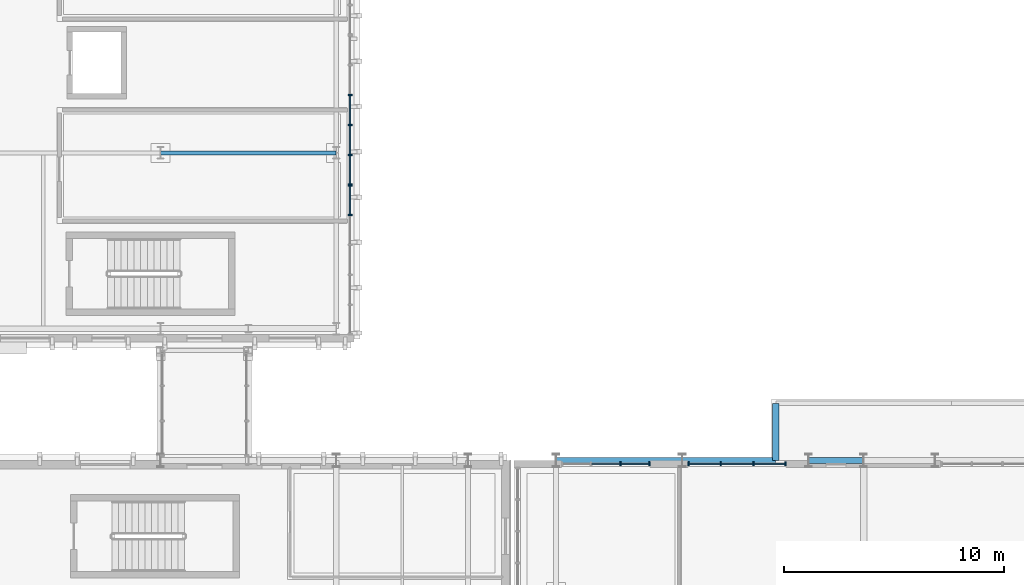
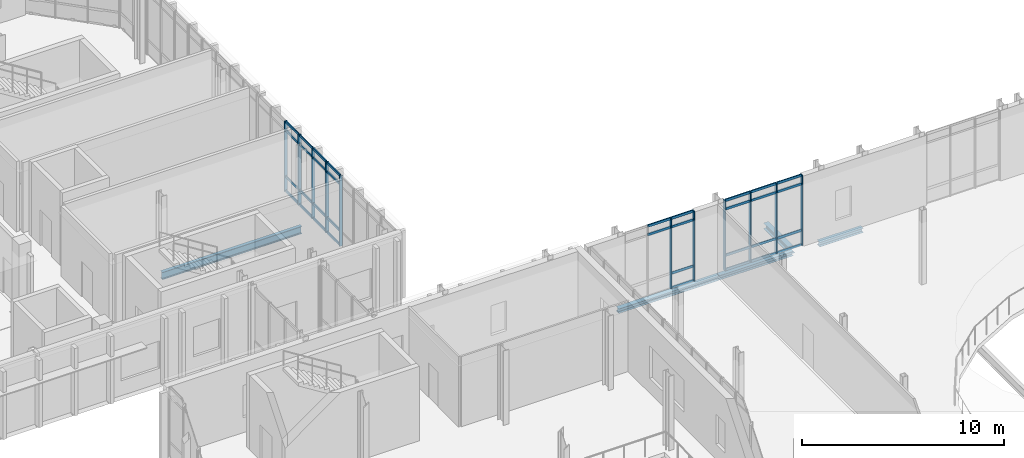
# One storey, part 23 of 100: 46 members, 5 beams, 4 elements without a shape of their own.
"""IFC4 building model written with IfcOpenShell, lengths in metres."""

from ifc_helpers import new_model, si_unit, direction, frame, origin, origin_2d, place, context, subcontext, project, spatial, rectangle, i_section, extrude, material, material_profile, profile_set, type_object, element, aggregate, save


model = new_model("IFC4")

# Units and contexts
model_context = context("Model", 3, precision=1e-05, world=origin(), true_north=direction((0.0, 1.0)))
body_context = subcontext(model_context, "Body", "Model", "MODEL_VIEW")
ifc_project = project(units=[si_unit("LENGTHUNIT", "METRE"), si_unit("AREAUNIT", "SQUARE_METRE"), si_unit("VOLUMEUNIT", "CUBIC_METRE"), si_unit("PLANEANGLEUNIT", "RADIAN"), si_unit("MASSUNIT", "GRAM", prefix="KILO")], contexts=[model_context])

# Site, building, storey
site_placement = place(None, origin())
site = spatial("IfcSite", under=ifc_project, at=site_placement, CompositionType="ELEMENT")
building_placement = place(site_placement, origin())
building = spatial("IfcBuilding", under=site, at=building_placement, Name="Cymarion Research Institute", CompositionType="ELEMENT")
storey_placement = place(building_placement, frame((0.0, 0.0, 4.800048828125)))
storey = spatial("IfcBuildingStorey", under=building, at=storey_placement, Name="L01", CompositionType="ELEMENT", Elevation=4.800048828125)

# Curtain wall, members
ifc_material_1 = material(Name="Anodised aluminium unitised curtain wall with Low-E glazing", Category="aluminium")
curtain_wall_type_1 = type_object("IfcCurtainWallType", Name="UNITISED CURTAIN WALL CW12 4460X4250", PredefinedType="NOTDEFINED", material=ifc_material_1)
curtain_wall_1_placement = place(storey_placement, origin())
curtain_wall_1 = element("IfcCurtainWall", 1, at=curtain_wall_1_placement, inside=storey, type_object=curtain_wall_type_1, Name="L01 V2 unitised curtain wall CW12 #27", PredefinedType="NOTDEFINED")
ifc_material_2 = material(Name="Anodised aluminium framing", Category="aluminium")
ifc_material_profile_1 = material_profile(ifc_material_2, rectangle(XDim=0.06005859375, YDim=0.179931640625, at=origin_2d()), Name="ALU MULLION 60x180")
ifc_profile_set_1 = profile_set([ifc_material_profile_1], Name="Anodised aluminium framing")
member_type_1 = type_object("IfcMemberType", Name="CURTAIN WALL MULLION ML01 60X180", PredefinedType="MULLION", material=ifc_profile_set_1)
member_1_placement = place(storey_placement, frame((67.04443359375, 41.340087890625, 0.0), z_axis=(0.0, 0.0, 1.0), x_axis=(-1.0, 0.0, 0.0)))
member_1 = element("IfcMember", 2, at=member_1_placement, type_object=member_type_1, Name="CW12 mullion 1", PredefinedType="MULLION", context=body_context, shape_type="SweptSolid", body=[
    extrude(rectangle(XDim=0.06005859375, YDim=0.179931640625, at=origin_2d()), origin(), (0.0, 0.0, 1.0), 4.25),
])
member_2_placement = place(storey_placement, frame((65.58642578125, 41.340087890625, 0.0), z_axis=(0.0, 0.0, 1.0), x_axis=(-1.0, 0.0, 0.0)))
member_2 = element("IfcMember", 3, at=member_2_placement, type_object=member_type_1, Name="CW12 mullion 2", PredefinedType="MULLION", context=body_context, shape_type="SweptSolid", body=[
    extrude(rectangle(XDim=0.06005859375, YDim=0.179931640625, at=origin_2d()), origin(), (0.0, 0.0, 1.0), 4.25),
])
member_3_placement = place(storey_placement, frame((64.09814453125, 41.340087890625, 0.0), z_axis=(0.0, 0.0, 1.0), x_axis=(-1.0, 0.0, 0.0)))
member_3 = element("IfcMember", 4, at=member_3_placement, type_object=member_type_1, Name="CW12 mullion 3", PredefinedType="MULLION", context=body_context, shape_type="SweptSolid", body=[
    extrude(rectangle(XDim=0.06005859375, YDim=0.179931640625, at=origin_2d()), origin(), (0.0, 0.0, 1.0), 4.25),
])
member_4_placement = place(storey_placement, frame((62.639892578125, 41.340087890625, 0.0), z_axis=(0.0, 0.0, 1.0), x_axis=(-1.0, 0.0, 0.0)))
member_4 = element("IfcMember", 5, at=member_4_placement, type_object=member_type_1, Name="CW12 mullion 4", PredefinedType="MULLION", context=body_context, shape_type="SweptSolid", body=[
    extrude(rectangle(XDim=0.06005859375, YDim=0.179931640625, at=origin_2d()), origin(), (0.0, 0.0, 1.0), 4.25),
])

curtain_wall_type_2 = type_object("IfcCurtainWallType", Name="UNITISED CURTAIN WALL CW13 4030X4250", PredefinedType="NOTDEFINED", material=ifc_material_1)
curtain_wall_2_placement = place(storey_placement, origin())
curtain_wall_2 = element("IfcCurtainWall", 6, at=curtain_wall_2_placement, inside=storey, type_object=curtain_wall_type_2, Name="L01 V2 unitised curtain wall CW13 #28", PredefinedType="NOTDEFINED")
member_5_placement = place(storey_placement, frame((60.857421875, 41.340087890625, 0.0), z_axis=(0.0, 0.0, 1.0), x_axis=(-1.0, 0.0, 0.0)))
member_5 = element("IfcMember", 7, at=member_5_placement, type_object=member_type_1, Name="CW13 mullion 1", PredefinedType="MULLION", context=body_context, shape_type="SweptSolid", body=[
    extrude(rectangle(XDim=0.06005859375, YDim=0.179931640625, at=origin_2d()), origin(), (0.0, 0.0, 1.0), 4.25),
])
member_6_placement = place(storey_placement, frame((59.544921875, 41.340087890625, 0.0), z_axis=(0.0, 0.0, 1.0), x_axis=(-1.0, 0.0, 0.0)))
member_6 = element("IfcMember", 8, at=member_6_placement, type_object=member_type_1, Name="CW13 mullion 2", PredefinedType="MULLION", context=body_context, shape_type="SweptSolid", body=[
    extrude(rectangle(XDim=0.06005859375, YDim=0.179931640625, at=origin_2d()), origin(), (0.0, 0.0, 1.0), 4.25),
])

curtain_wall_type_3 = type_object("IfcCurtainWallType", Name="UNITISED CURTAIN WALL CW20 6820X4250", PredefinedType="NOTDEFINED", material=ifc_material_1)
curtain_wall_3_placement = place(storey_placement, origin())
curtain_wall_3 = element("IfcCurtainWall", 9, at=curtain_wall_3_placement, inside=storey, type_object=curtain_wall_type_3, Name="L01 V4 unitised curtain wall CW20 #39", PredefinedType="NOTDEFINED")
member_7_placement = place(storey_placement, frame((47.22998046875, 52.677490234375, 0.0), z_axis=(0.0, 0.0, 1.0), x_axis=(0.0, 1.0, 0.0)))
member_7 = element("IfcMember", 10, at=member_7_placement, type_object=member_type_1, Name="CW20 mullion 5", PredefinedType="MULLION", context=body_context, shape_type="SweptSolid", body=[
    extrude(rectangle(XDim=0.06005859375, YDim=0.179931640625, at=origin_2d()), origin(), (0.0, 0.0, 1.0), 4.25),
])
member_8_placement = place(storey_placement, frame((47.22998046875, 54.011474609375, 0.0), z_axis=(0.0, 0.0, 1.0), x_axis=(0.0, 1.0, 0.0)))
member_8 = element("IfcMember", 11, at=member_8_placement, type_object=member_type_1, Name="CW20 mullion 6", PredefinedType="MULLION", context=body_context, shape_type="SweptSolid", body=[
    extrude(rectangle(XDim=0.06005859375, YDim=0.179931640625, at=origin_2d()), origin(), (0.0, 0.0, 1.0), 4.25),
])

curtain_wall_4_placement = place(storey_placement, origin())
curtain_wall_4 = element("IfcCurtainWall", 12, at=curtain_wall_4_placement, inside=storey, type_object=curtain_wall_type_3, Name="L01 V4 unitised curtain wall CW20 #40", PredefinedType="NOTDEFINED")
member_9_placement = place(storey_placement, frame((47.22998046875, 54.071533203125, 0.0), z_axis=(0.0, 0.0, 1.0), x_axis=(0.0, 1.0, 0.0)))
member_9 = element("IfcMember", 13, at=member_9_placement, type_object=member_type_1, Name="CW20 mullion 1", PredefinedType="MULLION", context=body_context, shape_type="SweptSolid", body=[
    extrude(rectangle(XDim=0.06005859375, YDim=0.179931640625, at=origin_2d()), origin(), (0.0, 0.0, 1.0), 4.25),
])
member_10_placement = place(storey_placement, frame((47.22998046875, 55.405517578125, 0.0), z_axis=(0.0, 0.0, 1.0), x_axis=(0.0, 1.0, 0.0)))
member_10 = element("IfcMember", 14, at=member_10_placement, type_object=member_type_1, Name="CW20 mullion 2", PredefinedType="MULLION", context=body_context, shape_type="SweptSolid", body=[
    extrude(rectangle(XDim=0.06005859375, YDim=0.179931640625, at=origin_2d()), origin(), (0.0, 0.0, 1.0), 4.25),
])
member_11_placement = place(storey_placement, frame((47.22998046875, 56.769287109375, 0.0), z_axis=(0.0, 0.0, 1.0), x_axis=(0.0, 1.0, 0.0)))
member_11 = element("IfcMember", 15, at=member_11_placement, type_object=member_type_1, Name="CW20 mullion 3", PredefinedType="MULLION", context=body_context, shape_type="SweptSolid", body=[
    extrude(rectangle(XDim=0.06005859375, YDim=0.179931640625, at=origin_2d()), origin(), (0.0, 0.0, 1.0), 4.25),
])
member_12_placement = place(storey_placement, frame((47.22998046875, 58.13330078125, 0.0), z_axis=(0.0, 0.0, 1.0), x_axis=(0.0, 1.0, 0.0)))
member_12 = element("IfcMember", 16, at=member_12_placement, type_object=member_type_1, Name="CW20 mullion 4", PredefinedType="MULLION", context=body_context, shape_type="SweptSolid", body=[
    extrude(rectangle(XDim=0.06005859375, YDim=0.179931640625, at=origin_2d()), origin(), (0.0, 0.0, 1.0), 4.25),
])

# Member
ifc_material_profile_2 = material_profile(ifc_material_2, rectangle(XDim=0.06005859375, YDim=0.14990234375, at=origin_2d()), Name="ALU TRANSOM 60x150")
ifc_profile_set_2 = profile_set([ifc_material_profile_2], Name="Anodised aluminium framing")
member_type_2 = type_object("IfcMemberType", Name="CURTAIN WALL TRANSOM TR01 60X150", PredefinedType="USERDEFINED", material=ifc_profile_set_2)
member_13_placement = place(storey_placement, frame((67.014404296875, 41.340087890625, 0.030029296875), z_axis=(-1.0, 0.0, 0.0), x_axis=(0.0, -1.0, 0.0)))
member_13 = element("IfcMember", 17, at=member_13_placement, type_object=member_type_2, Name="CW12 transom 1.1", ObjectType="TRANSOM", PredefinedType="USERDEFINED", context=body_context, shape_type="SweptSolid", body=[
    extrude(rectangle(XDim=0.06005859375, YDim=0.14990234375, at=origin_2d()), origin(), (0.0, 0.0, 1.0), 1.39794921875),
])

member_14_placement = place(storey_placement, frame((67.014404296875, 41.340087890625, 0.89990234375), z_axis=(-1.0, 0.0, 0.0), x_axis=(0.0, -1.0, 0.0)))
member_14 = element("IfcMember", 18, at=member_14_placement, type_object=member_type_2, Name="CW12 transom 1.2", ObjectType="TRANSOM", PredefinedType="USERDEFINED", context=body_context, shape_type="SweptSolid", body=[
    extrude(rectangle(XDim=0.06005859375, YDim=0.14990234375, at=origin_2d()), origin(), (0.0, 0.0, 1.0), 1.39794921875),
])

member_15_placement = place(storey_placement, frame((67.014404296875, 41.340087890625, 3.699951171875), z_axis=(-1.0, 0.0, 0.0), x_axis=(0.0, -1.0, 0.0)))
member_15 = element("IfcMember", 19, at=member_15_placement, type_object=member_type_2, Name="CW12 transom 1.3", ObjectType="TRANSOM", PredefinedType="USERDEFINED", context=body_context, shape_type="SweptSolid", body=[
    extrude(rectangle(XDim=0.06005859375, YDim=0.14990234375, at=origin_2d()), origin(), (0.0, 0.0, 1.0), 1.39794921875),
])

member_16_placement = place(storey_placement, frame((67.014404296875, 41.340087890625, 4.219970703125), z_axis=(-1.0, 0.0, 0.0), x_axis=(0.0, -1.0, 0.0)))
member_16 = element("IfcMember", 20, at=member_16_placement, type_object=member_type_2, Name="CW12 transom 1.4", ObjectType="TRANSOM", PredefinedType="USERDEFINED", context=body_context, shape_type="SweptSolid", body=[
    extrude(rectangle(XDim=0.06005859375, YDim=0.14990234375, at=origin_2d()), origin(), (0.0, 0.0, 1.0), 1.39794921875),
])

member_17_placement = place(storey_placement, frame((65.556396484375, 41.340087890625, 0.030029296875), z_axis=(-1.0, 0.0, 0.0), x_axis=(0.0, -1.0, 0.0)))
member_17 = element("IfcMember", 21, at=member_17_placement, type_object=member_type_2, Name="CW12 transom 2.1", ObjectType="TRANSOM", PredefinedType="USERDEFINED", context=body_context, shape_type="SweptSolid", body=[
    extrude(rectangle(XDim=0.06005859375, YDim=0.14990234375, at=origin_2d()), origin(), (0.0, 0.0, 1.0), 1.42822265625),
])

member_18_placement = place(storey_placement, frame((65.556396484375, 41.340087890625, 0.89990234375), z_axis=(-1.0, 0.0, 0.0), x_axis=(0.0, -1.0, 0.0)))
member_18 = element("IfcMember", 22, at=member_18_placement, type_object=member_type_2, Name="CW12 transom 2.2", ObjectType="TRANSOM", PredefinedType="USERDEFINED", context=body_context, shape_type="SweptSolid", body=[
    extrude(rectangle(XDim=0.06005859375, YDim=0.14990234375, at=origin_2d()), origin(), (0.0, 0.0, 1.0), 1.42822265625),
])

member_19_placement = place(storey_placement, frame((65.556396484375, 41.340087890625, 3.699951171875), z_axis=(-1.0, 0.0, 0.0), x_axis=(0.0, -1.0, 0.0)))
member_19 = element("IfcMember", 23, at=member_19_placement, type_object=member_type_2, Name="CW12 transom 2.3", ObjectType="TRANSOM", PredefinedType="USERDEFINED", context=body_context, shape_type="SweptSolid", body=[
    extrude(rectangle(XDim=0.06005859375, YDim=0.14990234375, at=origin_2d()), origin(), (0.0, 0.0, 1.0), 1.42822265625),
])

member_20_placement = place(storey_placement, frame((65.556396484375, 41.340087890625, 4.219970703125), z_axis=(-1.0, 0.0, 0.0), x_axis=(0.0, -1.0, 0.0)))
member_20 = element("IfcMember", 24, at=member_20_placement, type_object=member_type_2, Name="CW12 transom 2.4", ObjectType="TRANSOM", PredefinedType="USERDEFINED", context=body_context, shape_type="SweptSolid", body=[
    extrude(rectangle(XDim=0.06005859375, YDim=0.14990234375, at=origin_2d()), origin(), (0.0, 0.0, 1.0), 1.42822265625),
])

member_21_placement = place(storey_placement, frame((64.068115234375, 41.340087890625, 0.030029296875), z_axis=(-1.0, 0.0, 0.0), x_axis=(0.0, -1.0, 0.0)))
member_21 = element("IfcMember", 25, at=member_21_placement, type_object=member_type_2, Name="CW12 transom 3.1", ObjectType="TRANSOM", PredefinedType="USERDEFINED", context=body_context, shape_type="SweptSolid", body=[
    extrude(rectangle(XDim=0.06005859375, YDim=0.14990234375, at=origin_2d()), origin(), (0.0, 0.0, 1.0), 1.398193359375),
])

member_22_placement = place(storey_placement, frame((64.068115234375, 41.340087890625, 0.89990234375), z_axis=(-1.0, 0.0, 0.0), x_axis=(0.0, -1.0, 0.0)))
member_22 = element("IfcMember", 26, at=member_22_placement, type_object=member_type_2, Name="CW12 transom 3.2", ObjectType="TRANSOM", PredefinedType="USERDEFINED", context=body_context, shape_type="SweptSolid", body=[
    extrude(rectangle(XDim=0.06005859375, YDim=0.14990234375, at=origin_2d()), origin(), (0.0, 0.0, 1.0), 1.398193359375),
])

member_23_placement = place(storey_placement, frame((64.068115234375, 41.340087890625, 3.699951171875), z_axis=(-1.0, 0.0, 0.0), x_axis=(0.0, -1.0, 0.0)))
member_23 = element("IfcMember", 27, at=member_23_placement, type_object=member_type_2, Name="CW12 transom 3.3", ObjectType="TRANSOM", PredefinedType="USERDEFINED", context=body_context, shape_type="SweptSolid", body=[
    extrude(rectangle(XDim=0.06005859375, YDim=0.14990234375, at=origin_2d()), origin(), (0.0, 0.0, 1.0), 1.398193359375),
])

member_24_placement = place(storey_placement, frame((64.068115234375, 41.340087890625, 4.219970703125), z_axis=(-1.0, 0.0, 0.0), x_axis=(0.0, -1.0, 0.0)))
member_24 = element("IfcMember", 28, at=member_24_placement, type_object=member_type_2, Name="CW12 transom 3.4", ObjectType="TRANSOM", PredefinedType="USERDEFINED", context=body_context, shape_type="SweptSolid", body=[
    extrude(rectangle(XDim=0.06005859375, YDim=0.14990234375, at=origin_2d()), origin(), (0.0, 0.0, 1.0), 1.398193359375),
])

aggregate(curtain_wall_1, [member_1, member_2, member_3, member_4, member_13, member_14, member_15, member_16, member_17, member_18, member_19, member_20, member_21, member_22, member_23, member_24])

member_25_placement = place(storey_placement, frame((60.827392578125, 41.340087890625, 0.030029296875), z_axis=(-1.0, 0.0, 0.0), x_axis=(0.0, -1.0, 0.0)))
member_25 = element("IfcMember", 29, at=member_25_placement, type_object=member_type_2, Name="CW13 transom 1.1", ObjectType="TRANSOM", PredefinedType="USERDEFINED", context=body_context, shape_type="SweptSolid", body=[
    extrude(rectangle(XDim=0.06005859375, YDim=0.14990234375, at=origin_2d()), origin(), (0.0, 0.0, 1.0), 1.25244140625),
])

member_26_placement = place(storey_placement, frame((60.827392578125, 41.340087890625, 0.89990234375), z_axis=(-1.0, 0.0, 0.0), x_axis=(0.0, -1.0, 0.0)))
member_26 = element("IfcMember", 30, at=member_26_placement, type_object=member_type_2, Name="CW13 transom 1.2", ObjectType="TRANSOM", PredefinedType="USERDEFINED", context=body_context, shape_type="SweptSolid", body=[
    extrude(rectangle(XDim=0.06005859375, YDim=0.14990234375, at=origin_2d()), origin(), (0.0, 0.0, 1.0), 1.25244140625),
])

member_27_placement = place(storey_placement, frame((60.827392578125, 41.340087890625, 3.699951171875), z_axis=(-1.0, 0.0, 0.0), x_axis=(0.0, -1.0, 0.0)))
member_27 = element("IfcMember", 31, at=member_27_placement, type_object=member_type_2, Name="CW13 transom 1.3", ObjectType="TRANSOM", PredefinedType="USERDEFINED", context=body_context, shape_type="SweptSolid", body=[
    extrude(rectangle(XDim=0.06005859375, YDim=0.14990234375, at=origin_2d()), origin(), (0.0, 0.0, 1.0), 1.25244140625),
])

member_28_placement = place(storey_placement, frame((60.827392578125, 41.340087890625, 4.219970703125), z_axis=(-1.0, 0.0, 0.0), x_axis=(0.0, -1.0, 0.0)))
member_28 = element("IfcMember", 32, at=member_28_placement, type_object=member_type_2, Name="CW13 transom 1.4", ObjectType="TRANSOM", PredefinedType="USERDEFINED", context=body_context, shape_type="SweptSolid", body=[
    extrude(rectangle(XDim=0.06005859375, YDim=0.14990234375, at=origin_2d()), origin(), (0.0, 0.0, 1.0), 1.25244140625),
])

member_29_placement = place(storey_placement, frame((59.514892578125, 41.340087890625, 3.699951171875), z_axis=(-1.0, 0.0, 0.0), x_axis=(0.0, -1.0, 0.0)))
member_29 = element("IfcMember", 33, at=member_29_placement, type_object=member_type_2, Name="CW13 transom 2.3", ObjectType="TRANSOM", PredefinedType="USERDEFINED", context=body_context, shape_type="SweptSolid", body=[
    extrude(rectangle(XDim=0.06005859375, YDim=0.14990234375, at=origin_2d()), origin(), (0.0, 0.0, 1.0), 1.282470703125),
])

member_30_placement = place(storey_placement, frame((59.514892578125, 41.340087890625, 4.219970703125), z_axis=(-1.0, 0.0, 0.0), x_axis=(0.0, -1.0, 0.0)))
member_30 = element("IfcMember", 34, at=member_30_placement, type_object=member_type_2, Name="CW13 transom 2.4", ObjectType="TRANSOM", PredefinedType="USERDEFINED", context=body_context, shape_type="SweptSolid", body=[
    extrude(rectangle(XDim=0.06005859375, YDim=0.14990234375, at=origin_2d()), origin(), (0.0, 0.0, 1.0), 1.282470703125),
])

aggregate(curtain_wall_2, [member_5, member_6, member_25, member_26, member_27, member_28, member_29, member_30])

member_31_placement = place(storey_placement, frame((47.22998046875, 52.70751953125, 0.030029296875), z_axis=(0.0, 1.0, 0.0), x_axis=(-1.0, 0.0, 0.0)))
member_31 = element("IfcMember", 35, at=member_31_placement, type_object=member_type_2, Name="CW20 transom 5.1", ObjectType="TRANSOM", PredefinedType="USERDEFINED", context=body_context, shape_type="SweptSolid", body=[
    extrude(rectangle(XDim=0.06005859375, YDim=0.14990234375, at=origin_2d()), origin(), (0.0, 0.0, 1.0), 1.27392578125),
])

member_32_placement = place(storey_placement, frame((47.22998046875, 52.70751953125, 0.89990234375), z_axis=(0.0, 1.0, 0.0), x_axis=(-1.0, 0.0, 0.0)))
member_32 = element("IfcMember", 36, at=member_32_placement, type_object=member_type_2, Name="CW20 transom 5.2", ObjectType="TRANSOM", PredefinedType="USERDEFINED", context=body_context, shape_type="SweptSolid", body=[
    extrude(rectangle(XDim=0.06005859375, YDim=0.14990234375, at=origin_2d()), origin(), (0.0, 0.0, 1.0), 1.27392578125),
])

member_33_placement = place(storey_placement, frame((47.22998046875, 52.70751953125, 3.699951171875), z_axis=(0.0, 1.0, 0.0), x_axis=(-1.0, 0.0, 0.0)))
member_33 = element("IfcMember", 37, at=member_33_placement, type_object=member_type_2, Name="CW20 transom 5.3", ObjectType="TRANSOM", PredefinedType="USERDEFINED", context=body_context, shape_type="SweptSolid", body=[
    extrude(rectangle(XDim=0.06005859375, YDim=0.14990234375, at=origin_2d()), origin(), (0.0, 0.0, 1.0), 1.27392578125),
])

member_34_placement = place(storey_placement, frame((47.22998046875, 52.70751953125, 4.219970703125), z_axis=(0.0, 1.0, 0.0), x_axis=(-1.0, 0.0, 0.0)))
member_34 = element("IfcMember", 38, at=member_34_placement, type_object=member_type_2, Name="CW20 transom 5.4", ObjectType="TRANSOM", PredefinedType="USERDEFINED", context=body_context, shape_type="SweptSolid", body=[
    extrude(rectangle(XDim=0.06005859375, YDim=0.14990234375, at=origin_2d()), origin(), (0.0, 0.0, 1.0), 1.27392578125),
])

aggregate(curtain_wall_3, [member_7, member_8, member_31, member_32, member_33, member_34])

member_35_placement = place(storey_placement, frame((47.22998046875, 54.1015625, 0.030029296875), z_axis=(0.0, 1.0, 0.0), x_axis=(-1.0, 0.0, 0.0)))
member_35 = element("IfcMember", 39, at=member_35_placement, type_object=member_type_2, Name="CW20 transom 1.1", ObjectType="TRANSOM", PredefinedType="USERDEFINED", context=body_context, shape_type="SweptSolid", body=[
    extrude(rectangle(XDim=0.06005859375, YDim=0.14990234375, at=origin_2d()), origin(), (0.0, 0.0, 1.0), 1.27392578125),
])

member_36_placement = place(storey_placement, frame((47.22998046875, 54.1015625, 0.89990234375), z_axis=(0.0, 1.0, 0.0), x_axis=(-1.0, 0.0, 0.0)))
member_36 = element("IfcMember", 40, at=member_36_placement, type_object=member_type_2, Name="CW20 transom 1.2", ObjectType="TRANSOM", PredefinedType="USERDEFINED", context=body_context, shape_type="SweptSolid", body=[
    extrude(rectangle(XDim=0.06005859375, YDim=0.14990234375, at=origin_2d()), origin(), (0.0, 0.0, 1.0), 1.27392578125),
])

member_37_placement = place(storey_placement, frame((47.22998046875, 54.1015625, 3.699951171875), z_axis=(0.0, 1.0, 0.0), x_axis=(-1.0, 0.0, 0.0)))
member_37 = element("IfcMember", 41, at=member_37_placement, type_object=member_type_2, Name="CW20 transom 1.3", ObjectType="TRANSOM", PredefinedType="USERDEFINED", context=body_context, shape_type="SweptSolid", body=[
    extrude(rectangle(XDim=0.06005859375, YDim=0.14990234375, at=origin_2d()), origin(), (0.0, 0.0, 1.0), 1.27392578125),
])

member_38_placement = place(storey_placement, frame((47.22998046875, 54.1015625, 4.219970703125), z_axis=(0.0, 1.0, 0.0), x_axis=(-1.0, 0.0, 0.0)))
member_38 = element("IfcMember", 42, at=member_38_placement, type_object=member_type_2, Name="CW20 transom 1.4", ObjectType="TRANSOM", PredefinedType="USERDEFINED", context=body_context, shape_type="SweptSolid", body=[
    extrude(rectangle(XDim=0.06005859375, YDim=0.14990234375, at=origin_2d()), origin(), (0.0, 0.0, 1.0), 1.27392578125),
])

member_39_placement = place(storey_placement, frame((47.22998046875, 55.435302734375, 0.030029296875), z_axis=(0.0, 1.0, 0.0), x_axis=(-1.0, 0.0, 0.0)))
member_39 = element("IfcMember", 43, at=member_39_placement, type_object=member_type_2, Name="CW20 transom 2.1", ObjectType="TRANSOM", PredefinedType="USERDEFINED", context=body_context, shape_type="SweptSolid", body=[
    extrude(rectangle(XDim=0.06005859375, YDim=0.14990234375, at=origin_2d()), origin(), (0.0, 0.0, 1.0), 1.303955078125),
])

member_40_placement = place(storey_placement, frame((47.22998046875, 55.435302734375, 0.89990234375), z_axis=(0.0, 1.0, 0.0), x_axis=(-1.0, 0.0, 0.0)))
member_40 = element("IfcMember", 44, at=member_40_placement, type_object=member_type_2, Name="CW20 transom 2.2", ObjectType="TRANSOM", PredefinedType="USERDEFINED", context=body_context, shape_type="SweptSolid", body=[
    extrude(rectangle(XDim=0.06005859375, YDim=0.14990234375, at=origin_2d()), origin(), (0.0, 0.0, 1.0), 1.303955078125),
])

member_41_placement = place(storey_placement, frame((47.22998046875, 55.435302734375, 3.699951171875), z_axis=(0.0, 1.0, 0.0), x_axis=(-1.0, 0.0, 0.0)))
member_41 = element("IfcMember", 45, at=member_41_placement, type_object=member_type_2, Name="CW20 transom 2.3", ObjectType="TRANSOM", PredefinedType="USERDEFINED", context=body_context, shape_type="SweptSolid", body=[
    extrude(rectangle(XDim=0.06005859375, YDim=0.14990234375, at=origin_2d()), origin(), (0.0, 0.0, 1.0), 1.303955078125),
])

member_42_placement = place(storey_placement, frame((47.22998046875, 55.435302734375, 4.219970703125), z_axis=(0.0, 1.0, 0.0), x_axis=(-1.0, 0.0, 0.0)))
member_42 = element("IfcMember", 46, at=member_42_placement, type_object=member_type_2, Name="CW20 transom 2.4", ObjectType="TRANSOM", PredefinedType="USERDEFINED", context=body_context, shape_type="SweptSolid", body=[
    extrude(rectangle(XDim=0.06005859375, YDim=0.14990234375, at=origin_2d()), origin(), (0.0, 0.0, 1.0), 1.303955078125),
])

member_43_placement = place(storey_placement, frame((47.22998046875, 56.79931640625, 0.030029296875), z_axis=(0.0, 1.0, 0.0), x_axis=(-1.0, 0.0, 0.0)))
member_43 = element("IfcMember", 47, at=member_43_placement, type_object=member_type_2, Name="CW20 transom 3.1", ObjectType="TRANSOM", PredefinedType="USERDEFINED", context=body_context, shape_type="SweptSolid", body=[
    extrude(rectangle(XDim=0.06005859375, YDim=0.14990234375, at=origin_2d()), origin(), (0.0, 0.0, 1.0), 1.303955078125),
])

member_44_placement = place(storey_placement, frame((47.22998046875, 56.79931640625, 0.89990234375), z_axis=(0.0, 1.0, 0.0), x_axis=(-1.0, 0.0, 0.0)))
member_44 = element("IfcMember", 48, at=member_44_placement, type_object=member_type_2, Name="CW20 transom 3.2", ObjectType="TRANSOM", PredefinedType="USERDEFINED", context=body_context, shape_type="SweptSolid", body=[
    extrude(rectangle(XDim=0.06005859375, YDim=0.14990234375, at=origin_2d()), origin(), (0.0, 0.0, 1.0), 1.303955078125),
])

member_45_placement = place(storey_placement, frame((47.22998046875, 56.79931640625, 3.699951171875), z_axis=(0.0, 1.0, 0.0), x_axis=(-1.0, 0.0, 0.0)))
member_45 = element("IfcMember", 49, at=member_45_placement, type_object=member_type_2, Name="CW20 transom 3.3", ObjectType="TRANSOM", PredefinedType="USERDEFINED", context=body_context, shape_type="SweptSolid", body=[
    extrude(rectangle(XDim=0.06005859375, YDim=0.14990234375, at=origin_2d()), origin(), (0.0, 0.0, 1.0), 1.303955078125),
])

member_46_placement = place(storey_placement, frame((47.22998046875, 56.79931640625, 4.219970703125), z_axis=(0.0, 1.0, 0.0), x_axis=(-1.0, 0.0, 0.0)))
member_46 = element("IfcMember", 50, at=member_46_placement, type_object=member_type_2, Name="CW20 transom 3.4", ObjectType="TRANSOM", PredefinedType="USERDEFINED", context=body_context, shape_type="SweptSolid", body=[
    extrude(rectangle(XDim=0.06005859375, YDim=0.14990234375, at=origin_2d()), origin(), (0.0, 0.0, 1.0), 1.303955078125),
])

aggregate(curtain_wall_4, [member_9, member_10, member_11, member_12, member_35, member_36, member_37, member_38, member_39, member_40, member_41, member_42, member_43, member_44, member_45, member_46])

# Beams
ifc_material_3 = material(Name="Steel S355", Category="steel")
ifc_material_profile_3 = material_profile(ifc_material_3, i_section(OverallWidth=0.18994140625, OverallDepth=0.449951171875, WebThickness=0.009521484375, FlangeThickness=0.0146484375, FilletRadius=0.02099609375, at=origin_2d()), Name="IPE 450")
ifc_profile_set_3 = profile_set([ifc_material_profile_3], Name="Steel S355")
beam_type_1 = type_object("IfcBeamType", Name="PRIMARY GIRDER BM04 IPE 450", PredefinedType="BEAM", material=ifc_profile_set_3)
beam_1_placement = place(storey_placement, frame((38.60595703125, 55.5, -0.47509765625), z_axis=(1.0, 0.0, 0.0), x_axis=(0.0, 1.0, 0.0)))
element("IfcBeam", 51, at=beam_1_placement, inside=storey, type_object=beam_type_1, Name="L01 V4 girder BM04 #631", PredefinedType="BEAM", context=body_context, shape_type="SweptSolid", body=[
    extrude(i_section(OverallWidth=0.18994140625, OverallDepth=0.449951171875, WebThickness=0.009521484375, FlangeThickness=0.0146484375, FilletRadius=0.02099609375, at=origin_2d()), origin(), (0.0, 0.0, 1.0), 7.988037109375),
])
ifc_material_profile_4 = material_profile(ifc_material_3, i_section(OverallWidth=0.300048828125, OverallDepth=0.35009765625, WebThickness=0.010009765625, FlangeThickness=0.017578125, FilletRadius=0.027099609375, at=origin_2d()), Name="HEA 360")
ifc_profile_set_4 = profile_set([ifc_material_profile_4], Name="Steel S355")
beam_type_2 = type_object("IfcBeamType", Name="PRIMARY GIRDER BM12 HEA 360", PredefinedType="BEAM", material=ifc_profile_set_4)
beam_2_placement = place(storey_placement, frame((66.60009765625, 41.506103515625, -0.31494140625), z_axis=(0.0, 1.0, 0.0), x_axis=(-1.0, 0.0, 0.0)))
element("IfcBeam", 52, at=beam_2_placement, inside=storey, type_object=beam_type_2, Name="L01 V2 girder BM12 #506", PredefinedType="BEAM", context=body_context, shape_type="SweptSolid", body=[
    extrude(i_section(OverallWidth=0.300048828125, OverallDepth=0.35009765625, WebThickness=0.010009765625, FlangeThickness=0.017578125, FilletRadius=0.027099609375, at=origin_2d()), origin(), (0.0, 0.0, 1.0), 2.587890625),
])
ifc_material_profile_5 = material_profile(ifc_material_3, i_section(OverallWidth=0.280029296875, OverallDepth=0.27001953125, WebThickness=0.008056640625, FlangeThickness=0.012939453125, FilletRadius=0.02392578125, at=origin_2d()), Name="HEA 280")
ifc_profile_set_5 = profile_set([ifc_material_profile_5], Name="Steel S355")
beam_type_3 = type_object("IfcBeamType", Name="SPANDREL BEAM SPB02 HEA 280", PredefinedType="SPANDREL", material=ifc_profile_set_5)
beam_3_placement = place(storey_placement, frame((56.60595703125, 41.5, -0.385009765625), z_axis=(1.0, 0.0, 0.0), x_axis=(0.0, 1.0, 0.0)))
element("IfcBeam", 53, at=beam_3_placement, inside=storey, type_object=beam_type_3, Name="L01 V2 girder SPB02 #482", PredefinedType="SPANDREL", context=body_context, shape_type="SweptSolid", body=[
    extrude(i_section(OverallWidth=0.280029296875, OverallDepth=0.27001953125, WebThickness=0.008056640625, FlangeThickness=0.012939453125, FilletRadius=0.02392578125, at=origin_2d()), origin(), (0.0, 0.0, 1.0), 5.738037109375),
])
beam_4_placement = place(storey_placement, frame((62.35595703125, 41.5, -0.385009765625), z_axis=(1.0, 0.0, 0.0), x_axis=(0.0, 1.0, 0.0)))
element("IfcBeam", 54, at=beam_4_placement, inside=storey, type_object=beam_type_3, Name="L01 V2 girder SPB02 #483", PredefinedType="SPANDREL", context=body_context, shape_type="SweptSolid", body=[
    extrude(i_section(OverallWidth=0.280029296875, OverallDepth=0.27001953125, WebThickness=0.008056640625, FlangeThickness=0.012939453125, FilletRadius=0.02392578125, at=origin_2d()), origin(), (0.0, 0.0, 1.0), 4.238037109375),
])
beam_5_placement = place(storey_placement, frame((68.10595703125, 41.5, -0.385009765625), z_axis=(1.0, 0.0, 0.0), x_axis=(0.0, 1.0, 0.0)))
element("IfcBeam", 55, at=beam_5_placement, inside=storey, type_object=beam_type_3, Name="L01 V2 girder SPB02 #484", PredefinedType="SPANDREL", context=body_context, shape_type="SweptSolid", body=[
    extrude(i_section(OverallWidth=0.280029296875, OverallDepth=0.27001953125, WebThickness=0.008056640625, FlangeThickness=0.012939453125, FilletRadius=0.02392578125, at=origin_2d()), origin(), (0.0, 0.0, 1.0), 2.488037109375),
])

save(model, "model.ifc")
